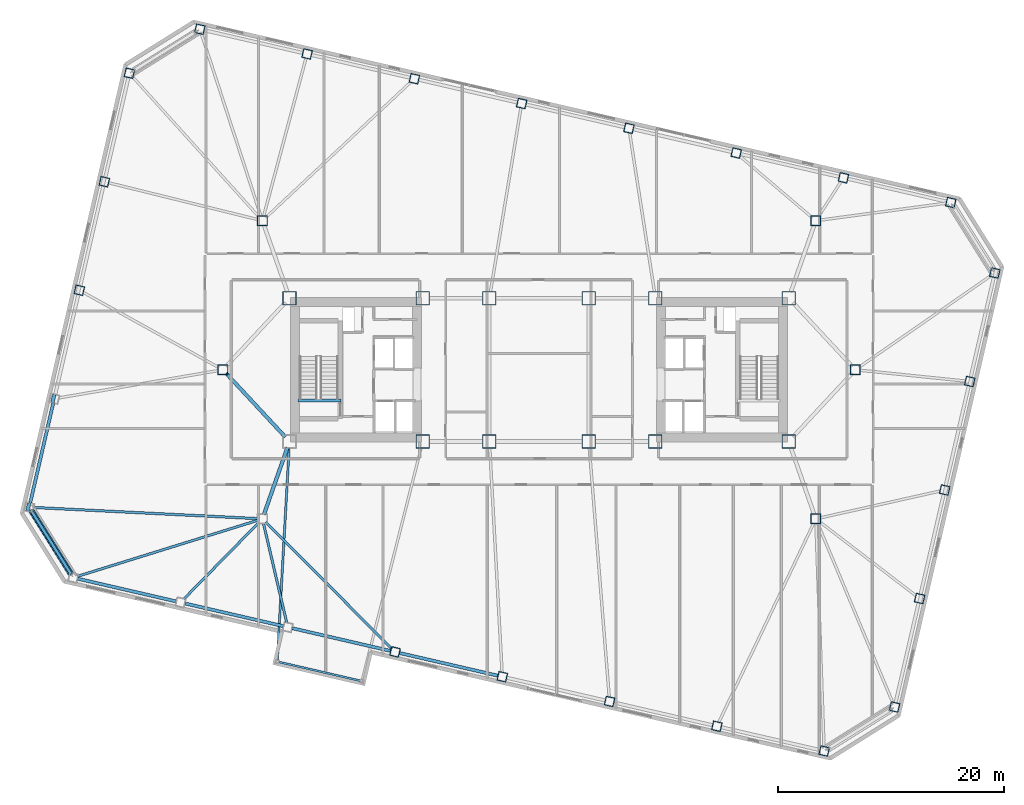
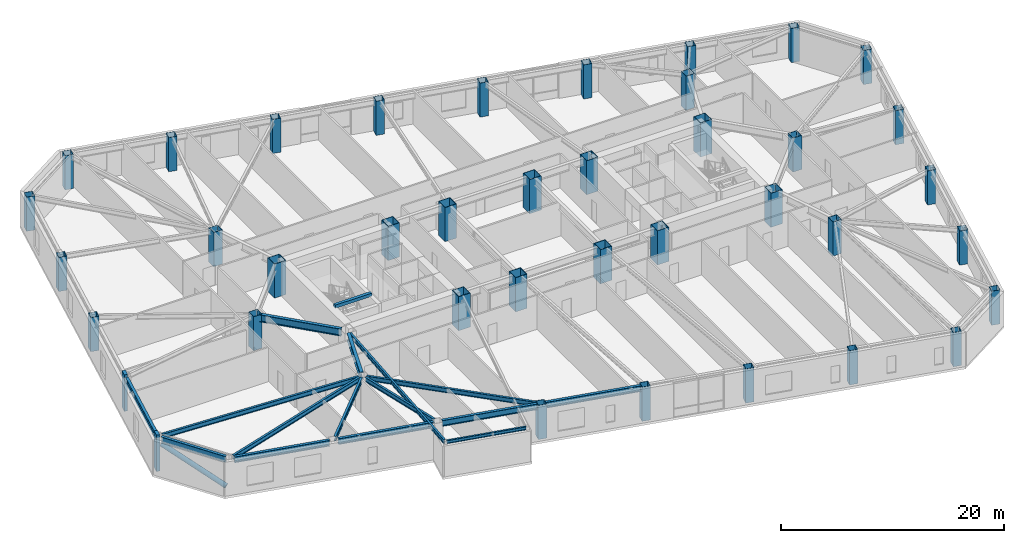
# One storey, part 2 of 18: 37 columns, 16 beams, 3 members.
"""IFC4 building model written with IfcOpenShell, lengths in metres."""

from ifc_helpers import new_model, si_unit, direction, frame, origin, origin_2d, place, context, subcontext, project, spatial, rectangle, hollow_rectangle, hollow_circle, i_section, extrude, material, material_profile, profile_set, type_object, element, save


model = new_model("IFC4")

# Units and contexts
model_context = context("Model", 3, precision=1e-05, world=origin(), true_north=direction((0.0, 1.0)))
body_context = subcontext(model_context, "Body", "Model", "MODEL_VIEW")
ifc_project = project(units=[si_unit("LENGTHUNIT", "METRE"), si_unit("AREAUNIT", "SQUARE_METRE"), si_unit("VOLUMEUNIT", "CUBIC_METRE"), si_unit("PLANEANGLEUNIT", "RADIAN"), si_unit("MASSUNIT", "GRAM", prefix="KILO")], contexts=[model_context])

# Site, building, storey
site_placement = place(None, origin())
site = spatial("IfcSite", under=ifc_project, at=site_placement, CompositionType="ELEMENT")
building_placement = place(site_placement, origin())
building = spatial("IfcBuilding", under=site, at=building_placement, Name="Tavrogorsk Clinical Tower", CompositionType="ELEMENT")
storey_placement = place(building_placement, frame((0.0, 0.0, 51.39990234375)))
storey = spatial("IfcBuildingStorey", under=building, at=storey_placement, Name="L10", CompositionType="ELEMENT", Elevation=51.39990234375)

# Columns
ifc_material_1 = material(Name="Structural steel S440", Category="steel")
ifc_material_profile_1 = material_profile(ifc_material_1, hollow_rectangle(XDim=1.199951171875, YDim=1.199951171875, WallThickness=0.050048828125, at=origin_2d()), Name="BOX-1200x1200x50")
ifc_profile_set_1 = profile_set([ifc_material_profile_1], Name="Structural steel S440")
column_type_1 = type_object("IfcColumnType", Name="MegaCol_BOX1200", PredefinedType="COLUMN", material=ifc_profile_set_1)
for number, where, z_axis, x_axis, name in (
    (1, (-22.10009765625, 6.35009765625, 0.0), (0.0, 0.0, 1.0), (1.0, 0.0, 0.0), "L10 Mega Column MC-W2"),
    (2, (-10.300048828125, -6.35009765625, 0.0), (0.0, 0.0, 1.0), (1.0, 0.0, 0.0), "L10 Mega Column MC-W3"),
    (3, (-10.300048828125, 6.35009765625, 0.0), (0.0, 0.0, 1.0), (1.0, 0.0, 0.0), "L10 Mega Column MC-W4"),
    (4, (10.300048828125, -6.35009765625, 0.0), (0.0, 0.0, 1.0), (1.0, 0.0, 0.0), "L10 Mega Column MC-E1"),
    (5, (10.300048828125, 6.35009765625, 0.0), (0.0, 0.0, 1.0), (1.0, 0.0, 0.0), "L10 Mega Column MC-E2"),
    (6, (22.10009765625, -6.35009765625, 0.0), (0.0, 0.0, 1.0), (1.0, 0.0, 0.0), "L10 Mega Column MC-E3"),
    (7, (22.10009765625, 6.35009765625, 0.0), (0.0, 0.0, 1.0), (1.0, 0.0, 0.0), "L10 Mega Column MC-E4"),
    (8, (-4.39990234375, -6.35009765625, 0.0), (0.0, 0.0, 1.0), (1.0, 0.0, 0.0), "L10 Mega Column MC-C1"),
    (9, (4.39990234375, -6.35009765625, 0.0), (0.0, 0.0, 1.0), (1.0, 0.0, 0.0), "L10 Mega Column MC-C2"),
    (10, (-4.39990234375, 6.35009765625, 0.0), (0.0, 0.0, 1.0), (1.0, 0.0, 0.0), "L10 Mega Column MC-C3"),
    (11, (4.39990234375, 6.35009765625, 0.0), (0.0, 0.0, 1.0), (1.0, 0.0, 0.0), "L10 Mega Column MC-C4"),
):
    element("IfcColumn", number, at=place(storey_placement, frame(where, z_axis=z_axis, x_axis=x_axis)), inside=storey, type_object=column_type_1, Name=name, PredefinedType="COLUMN", context=body_context, shape_type="SweptSolid", body=[
        extrude(hollow_rectangle(XDim=1.199951171875, YDim=1.199951171875, WallThickness=0.050048828125, at=origin_2d()), origin(), (0.0, 0.0, 1.0), 3.739990234375),
    ])
ifc_material_2 = material(Name="Structural steel S440", Category="steel")
ifc_material_profile_2 = material_profile(ifc_material_2, hollow_rectangle(XDim=0.89990234375, YDim=0.89990234375, WallThickness=0.0400390625, at=origin_2d()), Name="BOX-900x900x40")
ifc_profile_set_2 = profile_set([ifc_material_profile_2], Name="Structural steel S440")
column_type_2 = type_object("IfcColumnType", Name="MegaCol_BOX900", PredefinedType="COLUMN", material=ifc_profile_set_2)
for number, where, z_axis, x_axis, name in (
    (12, (24.5, -13.199951171875, 0.0), (0.0, 0.0, 1.0), (1.0, 0.0, 0.0), "L10 Spine Pilotis Column MC-P2"),
    (13, (-24.5, 13.199951171875, 0.0), (0.0, 0.0, 1.0), (1.0, 0.0, 0.0), "L10 Spine Pilotis Column MC-P3"),
    (14, (24.5, 13.199951171875, 0.0), (0.0, 0.0, 1.0), (1.0, 0.0, 0.0), "L10 Spine Pilotis Column MC-P4"),
    (15, (-28.0, 0.0, 0.0), (0.0, 0.0, 1.0), (1.0, 0.0, 0.0), "L10 Spine Pilotis Column MC-P5"),
    (16, (28.0, 0.0, 0.0), (0.0, 0.0, 1.0), (1.0, 0.0, 0.0), "L10 Spine Pilotis Column MC-P6"),
):
    element("IfcColumn", number, at=place(storey_placement, frame(where, z_axis=z_axis, x_axis=x_axis)), inside=storey, type_object=column_type_2, Name=name, PredefinedType="COLUMN", context=body_context, shape_type="SweptSolid", body=[
        extrude(hollow_rectangle(XDim=0.89990234375, YDim=0.89990234375, WallThickness=0.0400390625, at=origin_2d()), origin(), (0.0, 0.0, 1.0), 3.739990234375),
    ])
ifc_material_3 = material(Name="Structural steel S440", Category="steel")
ifc_material_profile_3 = material_profile(ifc_material_3, hollow_rectangle(XDim=0.800048828125, YDim=0.800048828125, WallThickness=0.035888671875, at=origin_2d()), Name="BOX-800x800x36")
ifc_profile_set_3 = profile_set([ifc_material_profile_3], Name="Structural steel S440")
column_type_3 = type_object("IfcColumnType", Name="PerimCol_B1_BOX800", PredefinedType="COLUMN", material=ifc_profile_set_3)
for number, where, z_axis, x_axis, name in (
    (17, (-12.755126953125, -24.98486328125, 0.0), (0.0, 0.0, 1.0), (0.974370064785, -0.224951054344, 0.0), "L10 Perimeter Column S4"),
    (18, (-3.25634765625, -27.177734375, 0.0), (0.0, 0.0, 1.0), (0.974370064785, -0.224951054344, 0.0), "L10 Perimeter Column S5"),
    (19, (6.2421875, -29.37060546875, 0.0), (0.0, 0.0, 1.0), (0.974370064785, -0.224951054344, 0.0), "L10 Perimeter Column S6"),
    (20, (15.740966796875, -31.563720703125, 0.0), (0.0, 0.0, 1.0), (0.974370064785, -0.224951054344, 0.0), "L10 Perimeter Column S7"),
    (21, (25.23974609375, -33.756591796875, 0.0), (0.0, 0.0, 1.0), (0.974370064785, -0.224951054344, 0.0), "L10 Perimeter Column S8"),
    (22, (36.451416015625, 14.805908203125, 0.0), (0.0, 0.0, 1.0), (0.974370064785, -0.224951054344, 0.0), "L10 Perimeter Column N1"),
    (23, (26.952392578125, 16.998779296875, 0.0), (0.0, 0.0, 1.0), (0.974370064785, -0.224951054344, 0.0), "L10 Perimeter Column N2"),
    (24, (17.453857421875, 19.19189453125, 0.0), (0.0, 0.0, 1.0), (0.974370064785, -0.224951054344, 0.0), "L10 Perimeter Column N3"),
    (25, (7.955078125, 21.384765625, 0.0), (0.0, 0.0, 1.0), (0.974370064785, -0.224951054344, 0.0), "L10 Perimeter Column N4"),
    (26, (-1.543701171875, 23.577880859375, 0.0), (0.0, 0.0, 1.0), (0.974370064785, -0.224951054344, 0.0), "L10 Perimeter Column N5"),
    (27, (-11.042236328125, 25.770751953125, 0.0), (0.0, 0.0, 1.0), (0.974370064785, -0.224951054344, 0.0), "L10 Perimeter Column N6"),
    (28, (-20.541015625, 27.963623046875, 0.0), (0.0, 0.0, 1.0), (0.974370064785, -0.224951054344, 0.0), "L10 Perimeter Column N7"),
    (29, (-30.039794921875, 30.156494140625, 0.0), (0.0, 0.0, 1.0), (0.974370064785, -0.224951054344, 0.0), "L10 Perimeter Column N8"),
    (30, (31.476318359375, -29.859619140625, 0.0), (0.0, 0.0, 1.0), (0.974370064785, -0.224951054344, 0.0), "L10 Perimeter Column E1"),
    (31, (33.694091796875, -20.25244140625, 0.0), (0.0, 0.0, 1.0), (0.974370064785, -0.224951054344, 0.0), "L10 Perimeter Column E2"),
    (32, (35.912109375, -10.64501953125, 0.0), (0.0, 0.0, 1.0), (0.974370064785, -0.224951054344, 0.0), "L10 Perimeter Column E3"),
    (33, (38.130126953125, -1.037841796875, 0.0), (0.0, 0.0, 1.0), (0.974370064785, -0.224951054344, 0.0), "L10 Perimeter Column E4"),
    (34, (40.348388671875, 8.569580078125, 0.0), (0.0, 0.0, 1.0), (0.974370064785, -0.224951054344, 0.0), "L10 Perimeter Column E5"),
    (35, (-36.276123046875, 26.259765625, 0.0), (0.0, 0.0, 1.0), (0.974370064785, -0.224951054344, 0.0), "L10 Perimeter Column W1"),
    (36, (-38.494140625, 16.65234375, 0.0), (0.0, 0.0, 1.0), (0.974370064785, -0.224951054344, 0.0), "L10 Perimeter Column W2"),
    (37, (-40.712158203125, 7.045166015625, 0.0), (0.0, 0.0, 1.0), (0.974370064785, -0.224951054344, 0.0), "L10 Perimeter Column W3"),
):
    element("IfcColumn", number, at=place(storey_placement, frame(where, z_axis=z_axis, x_axis=x_axis)), inside=storey, type_object=column_type_3, Name=name, PredefinedType="COLUMN", context=body_context, shape_type="SweptSolid", body=[
        extrude(hollow_rectangle(XDim=0.800048828125, YDim=0.800048828125, WallThickness=0.035888671875, at=origin_2d()), origin(), (0.0, 0.0, 1.0), 3.739990234375),
    ])

# Member
ifc_material_4 = material(Name="Structural steel S440", Category="steel")
ifc_material_profile_4 = material_profile(ifc_material_4, hollow_circle(Radius=0.25390625, WallThickness=0.02001953125, at=origin_2d()), Name="CHS-508x20")
ifc_profile_set_4 = profile_set([ifc_material_profile_4], Name="Structural steel S440")
member_type_1 = type_object("IfcMemberType", Name="ExoBrace_CHS508", PredefinedType="BRACE", material=ifc_profile_set_4)
member_placement = place(storey_placement, frame((-41.453857421875, -18.081787109375, 0.442626953125), z_axis=(-0.496582474856, 0.794677778576, 0.349131886118), x_axis=(-0.84804201203, -0.529929000746, 0.0)))
element("IfcMember", 38, at=member_placement, inside=storey, type_object=member_type_1, Name="L10 Corner Exoskeleton Brace W5-S1", PredefinedType="BRACE", context=body_context, shape_type="SweptSolid", body=[
    extrude(hollow_circle(Radius=0.25390625, WallThickness=0.02001953125, at=origin_2d()), origin(), (0.0, 0.0, 1.0), 7.031982421875),
])

# Beams
ifc_material_5 = material(Name="Structural steel S355", Category="steel")
ifc_material_profile_5 = material_profile(ifc_material_5, i_section(OverallWidth=0.199951171875, OverallDepth=0.449951171875, WebThickness=0.011474609375, FlangeThickness=0.01806640625, at=origin_2d()), Name="B-450x200x11.5x18")
ifc_profile_set_5 = profile_set([ifc_material_profile_5], Name="Structural steel S355")
beam_type_1 = type_object("IfcBeamType", Name="FloorBeam_B450", PredefinedType="BEAM", material=ifc_profile_set_5)
beam_1_placement = place(storey_placement, frame((-22.13134765625, -6.9091796875, 3.51513671875), z_axis=(-0.05586015232, -0.998438602711, 0.0), x_axis=(0.998438602711, -0.05586015232, 0.0)))
element("IfcBeam", 39, at=beam_1_placement, inside=storey, type_object=beam_type_1, Name="L10 Day-Room Cantilever Beam DRB-01-L", PredefinedType="BEAM", context=body_context, shape_type="SweptSolid", body=[
    extrude(i_section(OverallWidth=0.199951171875, OverallDepth=0.449951171875, WebThickness=0.011474609375, FlangeThickness=0.01806640625, at=origin_2d()), origin(), (0.0, 0.0, 1.0), 18.819580078125),
])
ifc_material_6 = material(Name="Structural steel S355", Category="steel")
ifc_material_profile_6 = material_profile(ifc_material_6, i_section(OverallWidth=0.219970703125, OverallDepth=0.5, WebThickness=0.012939453125, FlangeThickness=0.02001953125, at=origin_2d()), Name="B-500x220x13x20")
ifc_profile_set_6 = profile_set([ifc_material_profile_6], Name="Structural steel S355")
beam_type_2 = type_object("IfcBeamType", Name="FloorBeam_B500", PredefinedType="BEAM", material=ifc_profile_set_6)
beam_2_placement = place(storey_placement, frame((-24.8916015625, -13.32177734375, 3.489990234375), z_axis=(-0.954946638684, -0.296777555193, 0.0), x_axis=(0.296777555193, -0.954946638684, 0.0)))
element("IfcBeam", 40, at=beam_2_placement, inside=storey, type_object=beam_type_2, Name="L10 Radial Floor Beam S1", PredefinedType="BEAM", context=body_context, shape_type="SweptSolid", body=[
    extrude(i_section(OverallWidth=0.219970703125, OverallDepth=0.5, WebThickness=0.012939453125, FlangeThickness=0.02001953125, at=origin_2d()), origin(), (0.0, 0.0, 1.0), 16.723388671875),
])
beam_3_placement = place(storey_placement, frame((-24.787109375, -13.492919921875, 3.489990234375), z_axis=(-0.699997226081, -0.714145561828, 0.0), x_axis=(0.714145561828, -0.699997226081, 0.0)))
element("IfcBeam", 41, at=beam_3_placement, inside=storey, type_object=beam_type_2, Name="L10 Radial Floor Beam S2", PredefinedType="BEAM", context=body_context, shape_type="SweptSolid", body=[
    extrude(i_section(OverallWidth=0.219970703125, OverallDepth=0.5, WebThickness=0.012939453125, FlangeThickness=0.02001953125, at=origin_2d()), origin(), (0.0, 0.0, 1.0), 9.54248046875),
])
beam_4_placement = place(storey_placement, frame((-24.406494140625, -13.59912109375, 3.489990234375), z_axis=(0.227996771429, -0.973661888038, 0.0), x_axis=(0.973661888038, 0.227996771429, 0.0)))
element("IfcBeam", 42, at=beam_4_placement, inside=storey, type_object=beam_type_2, Name="L10 Radial Floor Beam S3", PredefinedType="BEAM", context=body_context, shape_type="SweptSolid", body=[
    extrude(i_section(OverallWidth=0.219970703125, OverallDepth=0.5, WebThickness=0.012939453125, FlangeThickness=0.02001953125, at=origin_2d()), origin(), (0.0, 0.0, 1.0), 9.033447265625),
])
beam_5_placement = place(storey_placement, frame((-24.210693359375, -13.490478515625, 3.489990234375), z_axis=(0.705909757155, -0.70830178226, 0.0), x_axis=(0.70830178226, 0.705909757155, 0.0)))
element("IfcBeam", 43, at=beam_5_placement, inside=storey, type_object=beam_type_2, Name="L10 Radial Floor Beam S4", PredefinedType="BEAM", context=body_context, shape_type="SweptSolid", body=[
    extrude(i_section(OverallWidth=0.219970703125, OverallDepth=0.5, WebThickness=0.012939453125, FlangeThickness=0.02001953125, at=origin_2d()), origin(), (0.0, 0.0, 1.0), 15.820068359375),
])
beam_6_placement = place(storey_placement, frame((-24.909423828125, -13.179443359375, 3.489990234375), z_axis=(-0.998757515428, 0.049833978136, 0.0), x_axis=(-0.049833978136, -0.998757515428, 0.0)))
element("IfcBeam", 44, at=beam_6_placement, inside=storey, type_object=beam_type_2, Name="L10 Radial Floor Beam W5", PredefinedType="BEAM", context=body_context, shape_type="SweptSolid", body=[
    extrude(i_section(OverallWidth=0.219970703125, OverallDepth=0.5, WebThickness=0.012939453125, FlangeThickness=0.02001953125, at=origin_2d()), origin(), (0.0, 0.0, 1.0), 19.85595703125),
])

# Members
ifc_material_7 = material(Name="Precast concrete B45 with limestone cladding", Category="masonry")
ifc_material_profile_7 = material_profile(ifc_material_7, rectangle(XDim=0.320068359375, YDim=0.719970703125, at=origin_2d()), Name="LIMESTONE-FIN-320x720")
ifc_profile_set_7 = profile_set([ifc_material_profile_7], Name="Precast concrete B45 with limestone cladding")
member_type_2 = type_object("IfcMemberType", Name="LimestonePleatFin_320x720", PredefinedType="USERDEFINED", material=ifc_profile_set_7)
for number, where, z_axis, x_axis, name in (
    (45, (-43.008056640625, -2.544189453125, 0.0), (0.0, 0.0, 1.0), (0.974370064785, -0.224951054344, 0.0), "L10 W Pleated Stone Fin 3"),
    (46, (-45.226318359375, -12.151611328125, 0.0), (0.0, 0.0, 1.0), (0.974370064785, -0.224951054344, 0.0), "L10 W Pleated Stone Fin 4"),
):
    element("IfcMember", number, at=place(storey_placement, frame(where, z_axis=z_axis, x_axis=x_axis)), inside=storey, type_object=member_type_2, Name=name, ObjectType="FIN", PredefinedType="USERDEFINED", context=body_context, shape_type="SweptSolid", body=[
        extrude(rectangle(XDim=0.320068359375, YDim=0.719970703125, at=origin_2d()), origin(), (0.0, 0.0, 1.0), 4.0),
    ])

# Beams
ifc_material_8 = material(Name="Structural steel S390", Category="steel")
ifc_material_profile_8 = material_profile(ifc_material_8, i_section(OverallWidth=0.320068359375, OverallDepth=0.800048828125, WebThickness=0.02001953125, FlangeThickness=0.033935546875, at=origin_2d()), Name="B-800x320x20x34")
ifc_profile_set_8 = profile_set([ifc_material_profile_8], Name="Structural steel S390")
beam_type_3 = type_object("IfcBeamType", Name="PrimaryGirder_B800", PredefinedType="USERDEFINED", material=ifc_profile_set_8)
beam_7_placement = place(storey_placement, frame((-24.364501953125, -12.81298828125, 3.340087890625), z_axis=(0.330668611543, 0.943746930771, 0.0), x_axis=(-0.943746930771, 0.330668611543, 0.0)))
element("IfcBeam", 47, at=beam_7_placement, inside=storey, type_object=beam_type_3, Name="L10 Spine Link Girder OPG-1", ObjectType="GIRDER", PredefinedType="USERDEFINED", context=body_context, shape_type="SweptSolid", body=[
    extrude(i_section(OverallWidth=0.320068359375, OverallDepth=0.800048828125, WebThickness=0.02001953125, FlangeThickness=0.033935546875, at=origin_2d()), origin(), (0.0, 0.0, 1.0), 6.288330078125),
])
beam_8_placement = place(storey_placement, frame((-27.720947265625, -0.30029296875, 3.340087890625), z_axis=(0.680671250221, -0.732589004233, 0.0), x_axis=(0.732589004233, 0.680671250221, 0.0)))
element("IfcBeam", 48, at=beam_8_placement, inside=storey, type_object=beam_type_3, Name="L10 Spine Link Girder OPG-5", ObjectType="GIRDER", PredefinedType="USERDEFINED", context=body_context, shape_type="SweptSolid", body=[
    extrude(i_section(OverallWidth=0.320068359375, OverallDepth=0.800048828125, WebThickness=0.02001953125, FlangeThickness=0.033935546875, at=origin_2d()), origin(), (0.0, 0.0, 1.0), 7.697998046875),
])
ifc_material_9 = material(Name="Structural steel S355", Category="steel")
ifc_material_profile_9 = material_profile(ifc_material_9, i_section(OverallWidth=0.175048828125, OverallDepth=0.35009765625, WebThickness=0.009521484375, FlangeThickness=0.013916015625, at=origin_2d()), Name="B-350x175x9.5x14")
ifc_profile_set_9 = profile_set([ifc_material_profile_9], Name="Structural steel S355")
beam_type_4 = type_object("IfcBeamType", Name="SecondaryJoist_B350", PredefinedType="JOIST", material=ifc_profile_set_9)
beam_9_placement = place(storey_placement, frame((-23.073486328125, -25.8662109375, 3.565185546875), z_axis=(0.974367472721, -0.224962281513, 0.0), x_axis=(0.224962281513, 0.974367472721, 0.0)))
element("IfcBeam", 49, at=beam_9_placement, inside=storey, type_object=beam_type_4, Name="L10 Day-Room Front Edge Beam DRB-01", PredefinedType="JOIST", context=body_context, shape_type="SweptSolid", body=[
    extrude(i_section(OverallWidth=0.175048828125, OverallDepth=0.35009765625, WebThickness=0.009521484375, FlangeThickness=0.013916015625, at=origin_2d()), origin(), (0.0, 0.0, 1.0), 7.4599609375),
])
ifc_material_10 = material(Name="Structural steel S390", Category="steel")
ifc_material_profile_10 = material_profile(ifc_material_10, i_section(OverallWidth=0.280029296875, OverallDepth=0.64990234375, WebThickness=0.01611328125, FlangeThickness=0.02490234375, at=origin_2d()), Name="B-650x280x16x25")
ifc_profile_set_10 = profile_set([ifc_material_profile_10], Name="Structural steel S390")
beam_type_5 = type_object("IfcBeamType", Name="SpandrelBeam_B650", PredefinedType="SPANDREL", material=ifc_profile_set_10)
for number, where, z_axis, x_axis, name in (
    (50, (-40.853759765625, -18.497802734375, 3.4150390625), (0.974372766602, -0.224939351168, 0.0), (0.224939351168, 0.974372766602, 0.0), "L10 Perimeter Spandrel S1-S2"),
    (51, (-31.35498046875, -20.690673828125, 3.4150390625), (0.974366775889, -0.224965299645, 0.0), (0.224965299645, 0.974366775889, 0.0), "L10 Perimeter Spandrel S2-S3"),
    (52, (-21.8564453125, -22.8837890625, 3.4150390625), (0.974372766602, -0.224939351168, 0.0), (0.224939351168, 0.974372766602, 0.0), "L10 Perimeter Spandrel S3-S4"),
    (53, (-12.357666015625, -25.07666015625, 3.4150390625), (0.974372766602, -0.224939351168, 0.0), (0.224939351168, 0.974372766602, 0.0), "L10 Perimeter Spandrel S4-S5"),
):
    element("IfcBeam", number, at=place(storey_placement, frame(where, z_axis=z_axis, x_axis=x_axis)), inside=storey, type_object=beam_type_5, Name=name, PredefinedType="SPANDREL", context=body_context, shape_type="SweptSolid", body=[
        extrude(i_section(OverallWidth=0.280029296875, OverallDepth=0.64990234375, WebThickness=0.01611328125, FlangeThickness=0.02490234375, at=origin_2d()), origin(), (0.0, 0.0, 1.0), 8.9326171875),
    ])
beam_10_placement = place(storey_placement, frame((-43.02197265625, -2.959716796875, 3.4150390625), z_axis=(-0.224971881043, -0.974365256328, 0.0), x_axis=(0.974365256328, -0.224971881043, 0.0)))
element("IfcBeam", 54, at=beam_10_placement, inside=storey, type_object=beam_type_5, Name="L10 Perimeter Spandrel W4-W5", PredefinedType="SPANDREL", context=body_context, shape_type="SweptSolid", body=[
    extrude(i_section(OverallWidth=0.280029296875, OverallDepth=0.64990234375, WebThickness=0.01611328125, FlangeThickness=0.02490234375, at=origin_2d()), origin(), (0.0, 0.0, 1.0), 9.044189453125),
])
beam_11_placement = place(storey_placement, frame((-44.93212890625, -12.515380859375, 3.4150390625), z_axis=(0.529908311255, -0.848054940238, 0.0), x_axis=(0.848054940238, 0.529908311255, 0.0)))
element("IfcBeam", 55, at=beam_11_placement, inside=storey, type_object=beam_type_5, Name="L10 Perimeter Spandrel W5-S1", PredefinedType="SPANDREL", context=body_context, shape_type="SweptSolid", body=[
    extrude(i_section(OverallWidth=0.280029296875, OverallDepth=0.64990234375, WebThickness=0.01611328125, FlangeThickness=0.02490234375, at=origin_2d()), origin(), (0.0, 0.0, 1.0), 6.5380859375),
])
ifc_material_11 = material(Name="Concrete B60", Category="concrete")
ifc_material_profile_11 = material_profile(ifc_material_11, rectangle(XDim=0.300048828125, YDim=0.35009765625, at=origin_2d()), Name="RC-SHB-300x350")
ifc_profile_set_11 = profile_set([ifc_material_profile_11], Name="Concrete B60")
beam_type_6 = type_object("IfcBeamType", Name="StairHeaderBeam_RC300x350", PredefinedType="BEAM", material=ifc_profile_set_11)
beam_12_placement = place(storey_placement, frame((-21.35009765625, -2.719970703125, 3.8251953125), z_axis=(1.0, 0.0, 0.0), x_axis=(0.0, 1.0, 0.0)))
element("IfcBeam", 56, at=beam_12_placement, inside=storey, type_object=beam_type_6, Name="L11 ST-W Landing Header Beam", PredefinedType="BEAM", context=body_context, shape_type="SweptSolid", body=[
    extrude(rectangle(XDim=0.300048828125, YDim=0.35009765625, at=origin_2d()), origin(), (0.0, 0.0, 1.0), 3.800048828125),
])

save(model, "model.ifc")
